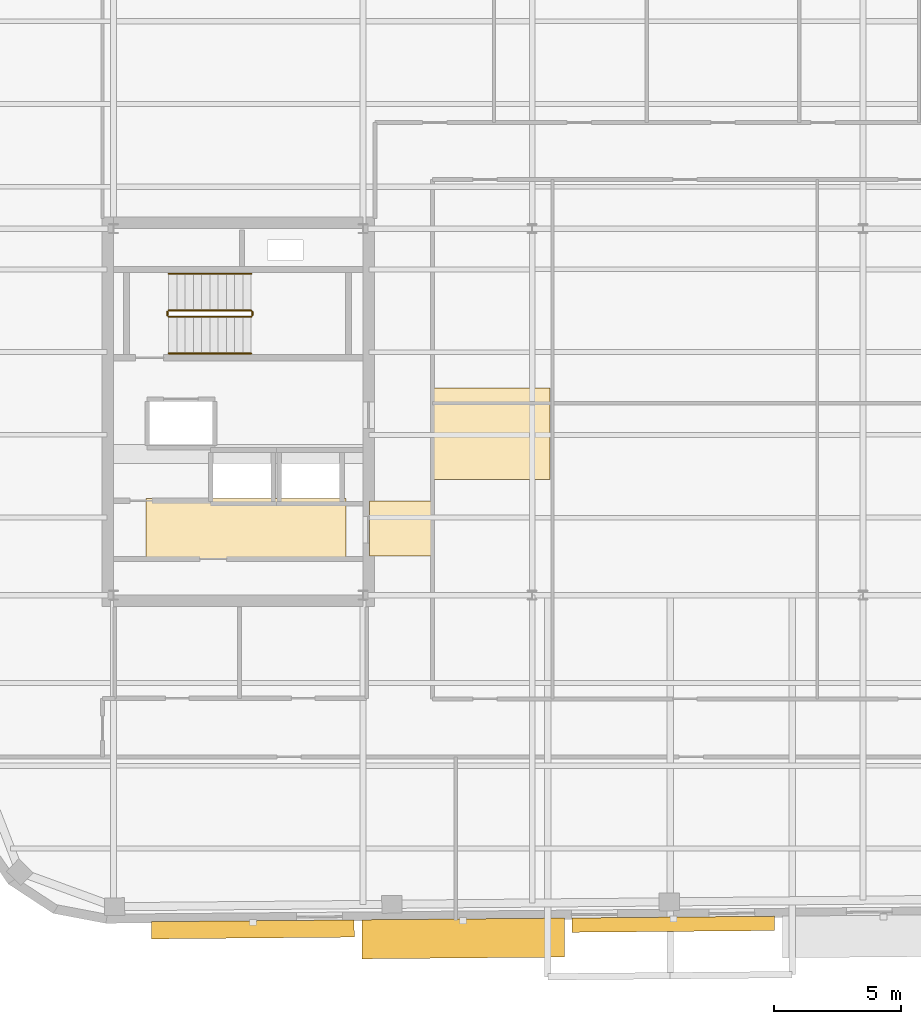
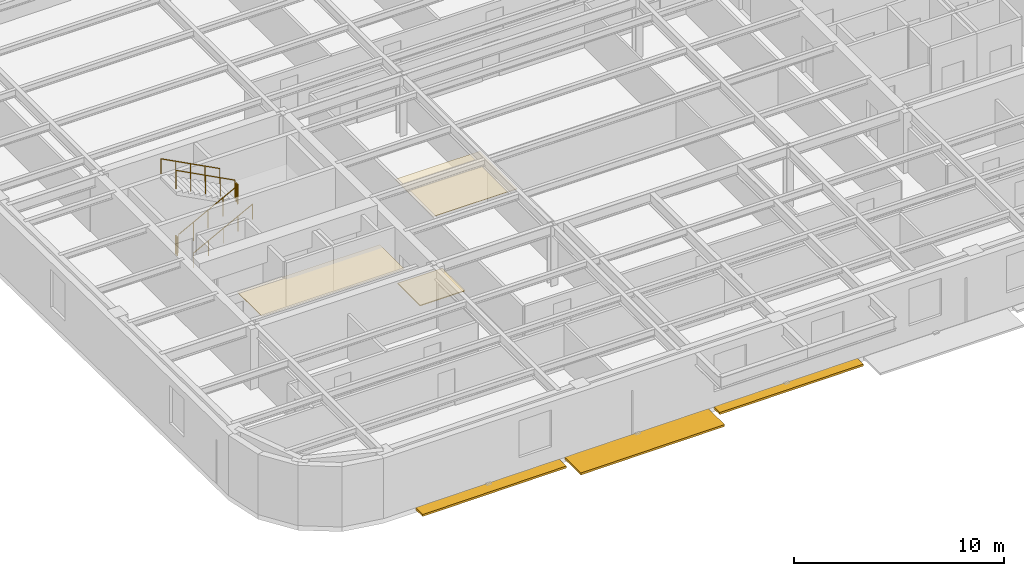
# One storey, part 11 of 14: 6 railings, 3 coverings, 3 shading devices.
"""IFC4 building model written with IfcOpenShell, lengths in metres."""

from ifc_helpers import new_model, si_unit, direction, frame, origin, origin_2d, place, context, subcontext, project, spatial, polyline, rectangle, circle, outline, extrude, material, layer, layer_set, type_object, element, save


model = new_model("IFC4")

# Units and contexts
model_context = context("Model", 3, precision=1e-05, world=origin(), true_north=direction((0.0, 1.0)))
body_context = subcontext(model_context, "Body", "Model", "MODEL_VIEW")
ifc_project = project(units=[si_unit("LENGTHUNIT", "METRE"), si_unit("AREAUNIT", "SQUARE_METRE"), si_unit("VOLUMEUNIT", "CUBIC_METRE"), si_unit("PLANEANGLEUNIT", "RADIAN"), si_unit("MASSUNIT", "GRAM", prefix="KILO")], contexts=[model_context])

# Site, building, storey
site_placement = place(None, origin())
site = spatial("IfcSite", under=ifc_project, at=site_placement, CompositionType="ELEMENT")
building_placement = place(site_placement, origin())
building = spatial("IfcBuilding", under=site, at=building_placement, Name="Kolvaren Arena Tower", CompositionType="ELEMENT")
storey_placement = place(building_placement, frame((0.0, 0.0, 308.64990234375)))
storey = spatial("IfcBuildingStorey", under=building, at=storey_placement, Name="L76", CompositionType="ELEMENT", Elevation=308.64990234375)

# Coverings
ifc_material_1 = material(Name="Mineral fibre acoustic ceiling tile", Category="gypsum")
ifc_layer_1 = layer(ifc_material_1, 0.02490234375)
ifc_layer_set_1 = layer_set([ifc_layer_1], Name="Mineral fibre acoustic ceiling tile")
covering_type_1 = type_object("IfcCoveringType", Name="CEIL-ACT-1", PredefinedType="CEILING", material=ifc_layer_set_1)
covering_1_placement = place(storey_placement, frame((0.0, 0.0, 2.52001953125)))
element("IfcCovering", 1, at=covering_1_placement, inside=storey, type_object=covering_type_1, Name="Suspended Ceiling (L76)", PredefinedType="CEILING", context=body_context, shape_type="SweptSolid", body=[
    extrude(outline(polyline([(27.050048828125, 24.0), (27.050048828125, 27.60009765625), (31.699951171875, 27.60009765625), (31.699951171875, 24.0), (27.050048828125, 24.0)])), origin(), (0.0, 0.0, 1.0), 0.025146484375),
])
ifc_material_2 = material(Name="Moisture-resistant gypsum ceiling", Category="gypsum")
ifc_layer_2 = layer(ifc_material_2, 0.030029296875)
ifc_layer_set_2 = layer_set([ifc_layer_2], Name="Moisture-resistant gypsum ceiling")
covering_type_2 = type_object("IfcCoveringType", Name="CEIL-GYP-1", PredefinedType="CEILING", material=ifc_layer_set_2)
covering_2_placement = place(storey_placement, frame((0.0, 0.0, 2.52001953125)))
element("IfcCovering", 2, at=covering_2_placement, inside=storey, type_object=covering_type_2, Name="Suspended Ceiling (L76)", PredefinedType="CEILING", context=body_context, shape_type="SweptSolid", body=[
    extrude(outline(polyline([(15.820068359375, 20.89990234375), (15.820068359375, 23.239990234375), (23.679931640625, 23.239990234375), (23.679931640625, 20.89990234375), (15.820068359375, 20.89990234375)])), origin(), (0.0, 0.0, 1.0), 0.030029296875),
])
ifc_material_3 = material(Name="Raised access office floor finish", Category="aluminium")
ifc_layer_3 = layer(ifc_material_3, 0.044921875)
ifc_layer_set_3 = layer_set([ifc_layer_3], Name="Raised access office floor finish")
covering_type_3 = type_object("IfcCoveringType", Name="FLOR-RAF-1", PredefinedType="FLOORING", material=ifc_layer_set_3)
covering_3_placement = place(storey_placement, origin())
element("IfcCovering", 3, at=covering_3_placement, inside=storey, type_object=covering_type_3, Name="Floor Finish (L76)", PredefinedType="FLOORING", context=body_context, shape_type="SweptSolid", body=[
    extrude(outline(polyline([(24.60009765625, 21.0), (24.60009765625, 23.14990234375), (27.080078125, 23.14990234375), (27.080078125, 21.0), (24.60009765625, 21.0)])), origin(), (0.0, 0.0, 1.0), 0.045166015625),
])

# Railings
ifc_material_4 = material(Name="Painted galvanized steel", Category="steel")
railing_type_1 = type_object("IfcRailingType", Name="GUARD-ST-110", PredefinedType="GUARDRAIL", material=ifc_material_4)
railing_1_placement = place(storey_placement, frame((16.719970703125, 30.389892578125, 0.170654296875)))
element("IfcRailing", 4, at=railing_1_placement, inside=storey, type_object=railing_type_1, Name="L76 ST-W1 stair guard 1", PredefinedType="GUARDRAIL", context=body_context, shape_type="SweptSolid", body=[
    extrude(circle(Radius=0.02392578125, at=origin_2d()), frame((0.0, 0.0, 1.076171875), z_axis=(0.885020909582, 0.0, 0.465551274945), x_axis=(0.0, 1.0, 0.0)), (0.0, 0.0, 1.0), 3.660888671875),
    extrude(circle(Radius=0.02099609375, at=origin_2d()), origin(), (0.0, 0.0, 1.0), 1.052001953125),
    extrude(circle(Radius=0.02099609375, at=origin_2d()), frame((0.81005859375, 0.0, 0.426025390625)), (0.0, 0.0, 1.0), 1.052001953125),
    extrude(circle(Radius=0.02099609375, at=origin_2d()), frame((1.6201171875, 0.0, 0.85205078125)), (0.0, 0.0, 1.0), 1.052001953125),
    extrude(circle(Radius=0.02099609375, at=origin_2d()), frame((2.429931640625, 0.0, 1.2783203125)), (0.0, 0.0, 1.0), 1.052001953125),
    extrude(circle(Radius=0.02099609375, at=origin_2d()), frame((3.239990234375, 0.0, 1.704345703125)), (0.0, 0.0, 1.0), 1.052001953125),
])
railing_2_placement = place(storey_placement, frame((20.010009765625, 30.43994140625, 1.875)))
element("IfcRailing", 5, at=railing_2_placement, inside=storey, type_object=railing_type_1, Name="L76 ST-W1 stair guard 2", PredefinedType="GUARDRAIL", context=body_context, shape_type="SweptSolid", body=[
    extrude(circle(Radius=0.02392578125, at=origin_2d()), frame((0.0, 0.0, 1.076171875), z_axis=(0.0, 1.0, 0.0), x_axis=(-1.0, 0.0, 0.0)), (0.0, 0.0, 1.0), 0.150146484375),
    extrude(circle(Radius=0.02099609375, at=origin_2d()), origin(), (0.0, 0.0, 1.0), 1.052001953125),
    extrude(circle(Radius=0.02099609375, at=origin_2d()), frame((0.0, 0.150146484375, 0.0)), (0.0, 0.0, 1.0), 1.052001953125),
])
railing_3_placement = place(storey_placement, frame((19.9599609375, 30.639892578125, 2.045654296875)))
element("IfcRailing", 6, at=railing_3_placement, inside=storey, type_object=railing_type_1, Name="L76 ST-W1 stair guard 3", PredefinedType="GUARDRAIL", context=body_context, shape_type="SweptSolid", body=[
    extrude(circle(Radius=0.02392578125, at=origin_2d()), frame((0.0, 0.0, 1.076171875), z_axis=(-0.885020909582, 0.0, 0.465551274945), x_axis=(0.0, -1.0, 0.0)), (0.0, 0.0, 1.0), 3.660888671875),
    extrude(circle(Radius=0.02099609375, at=origin_2d()), origin(), (0.0, 0.0, 1.0), 1.052001953125),
    extrude(circle(Radius=0.02099609375, at=origin_2d()), frame((-0.81005859375, 0.0, 0.426025390625)), (0.0, 0.0, 1.0), 1.052001953125),
    extrude(circle(Radius=0.02099609375, at=origin_2d()), frame((-1.6201171875, 0.0, 0.85205078125)), (0.0, 0.0, 1.0), 1.052001953125),
    extrude(circle(Radius=0.02099609375, at=origin_2d()), frame((-2.429931640625, 0.0, 1.2783203125)), (0.0, 0.0, 1.0), 1.052001953125),
    extrude(circle(Radius=0.02099609375, at=origin_2d()), frame((-3.239990234375, 0.0, 1.704345703125)), (0.0, 0.0, 1.0), 1.052001953125),
])
railing_4_placement = place(storey_placement, frame((16.669921875, 30.43994140625, 0.0)))
element("IfcRailing", 7, at=railing_4_placement, inside=storey, type_object=railing_type_1, Name="L76 ST-W1 stair guard 4", PredefinedType="GUARDRAIL", context=body_context, shape_type="SweptSolid", body=[
    extrude(circle(Radius=0.02392578125, at=origin_2d()), frame((0.0, 0.0, 1.076171875), z_axis=(0.0, 1.0, 0.0), x_axis=(-1.0, 0.0, 0.0)), (0.0, 0.0, 1.0), 0.150146484375),
    extrude(circle(Radius=0.02099609375, at=origin_2d()), origin(), (0.0, 0.0, 1.0), 1.052001953125),
    extrude(circle(Radius=0.02099609375, at=origin_2d()), frame((0.0, 0.150146484375, 0.0)), (0.0, 0.0, 1.0), 1.052001953125),
])
ifc_material_5 = material(Name="Brushed stainless steel handrail", Category="steel")
railing_type_2 = type_object("IfcRailingType", Name="HRAIL-900", PredefinedType="HANDRAIL", material=ifc_material_5)
railing_5_placement = place(storey_placement, frame((16.719970703125, 28.949951171875, 0.170654296875)))
element("IfcRailing", 8, at=railing_5_placement, inside=storey, type_object=railing_type_2, Name="L76 ST-W1 stair handrail 1", PredefinedType="HANDRAIL", context=body_context, shape_type="SweptSolid", body=[
    extrude(circle(Radius=0.02392578125, at=origin_2d()), frame((0.0, 0.0, 0.8759765625), z_axis=(0.885020909582, 0.0, 0.465551274945), x_axis=(0.0, 1.0, 0.0)), (0.0, 0.0, 1.0), 3.660888671875),
    extrude(circle(Radius=0.02099609375, at=origin_2d()), origin(), (0.0, 0.0, 1.0), 0.851806640625),
    extrude(circle(Radius=0.02099609375, at=origin_2d()), frame((0.81005859375, 0.0, 0.426025390625)), (0.0, 0.0, 1.0), 0.851806640625),
    extrude(circle(Radius=0.02099609375, at=origin_2d()), frame((1.6201171875, 0.0, 0.85205078125)), (0.0, 0.0, 1.0), 0.851806640625),
    extrude(circle(Radius=0.02099609375, at=origin_2d()), frame((2.429931640625, 0.0, 1.2783203125)), (0.0, 0.0, 1.0), 0.851806640625),
    extrude(circle(Radius=0.02099609375, at=origin_2d()), frame((3.239990234375, 0.0, 1.704345703125)), (0.0, 0.0, 1.0), 0.851806640625),
])
railing_6_placement = place(storey_placement, frame((19.9599609375, 32.080078125, 2.045654296875)))
element("IfcRailing", 9, at=railing_6_placement, inside=storey, type_object=railing_type_2, Name="L76 ST-W1 stair handrail 2", PredefinedType="HANDRAIL", context=body_context, shape_type="SweptSolid", body=[
    extrude(circle(Radius=0.02392578125, at=origin_2d()), frame((0.0, 0.0, 0.8759765625), z_axis=(-0.885020909582, 0.0, 0.465551274945), x_axis=(0.0, -1.0, 0.0)), (0.0, 0.0, 1.0), 3.660888671875),
    extrude(circle(Radius=0.02099609375, at=origin_2d()), origin(), (0.0, 0.0, 1.0), 0.851806640625),
    extrude(circle(Radius=0.02099609375, at=origin_2d()), frame((-0.81005859375, 0.0, 0.426025390625)), (0.0, 0.0, 1.0), 0.851806640625),
    extrude(circle(Radius=0.02099609375, at=origin_2d()), frame((-1.6201171875, 0.0, 0.85205078125)), (0.0, 0.0, 1.0), 0.851806640625),
    extrude(circle(Radius=0.02099609375, at=origin_2d()), frame((-2.429931640625, 0.0, 1.2783203125)), (0.0, 0.0, 1.0), 0.851806640625),
    extrude(circle(Radius=0.02099609375, at=origin_2d()), frame((-3.239990234375, 0.0, 1.704345703125)), (0.0, 0.0, 1.0), 0.851806640625),
])

# Shading devices
ifc_material_6 = material(Name="Architectural precast GFRC and anodised aluminium sunshade", Category="concrete")
shading_device_type_1 = type_object("IfcShadingDeviceType", Name="SHAD-SINE-A", PredefinedType="USERDEFINED", material=ifc_material_6)
shading_device_1_placement = place(storey_placement, frame((36.548828125, 6.52099609375, -0.139892578125), z_axis=(0.0, 0.0, 1.0), x_axis=(-0.999961923064, -0.008726535498, 0.0)))
element("IfcShadingDevice", 10, at=shading_device_1_placement, inside=storey, type_object=shading_device_type_1, Name="Sinusoidal Slab-Edge Sunshade Louvre (L76)", ObjectType="LOUVRE", PredefinedType="USERDEFINED", context=body_context, shape_type="SweptSolid", body=[
    extrude(rectangle(XDim=7.9599609375, YDim=0.562255859375, at=origin_2d()), origin(), (0.0, 0.0, 1.0), 0.1201171875),
])
shading_device_2_placement = place(storey_placement, frame((20.02978515625, 6.319580078125, -0.139892578125), z_axis=(0.0, 0.0, 1.0), x_axis=(-0.999961923064, -0.008726535498, 0.0)))
element("IfcShadingDevice", 11, at=shading_device_2_placement, inside=storey, type_object=shading_device_type_1, Name="Sinusoidal Slab-Edge Sunshade Louvre (L76)", ObjectType="LOUVRE", PredefinedType="USERDEFINED", context=body_context, shape_type="SweptSolid", body=[
    extrude(rectangle(XDim=7.9599609375, YDim=0.677001953125, at=origin_2d()), origin(), (0.0, 0.0, 1.0), 0.1201171875),
])
shading_device_type_2 = type_object("IfcShadingDeviceType", Name="SHAD-SINE-B", PredefinedType="JALOUSIE", material=ifc_material_6)
shading_device_3_placement = place(storey_placement, frame((28.293212890625, 5.9638671875, -0.139892578125), z_axis=(0.0, 0.0, 1.0), x_axis=(-0.999961923064, -0.008726535498, 0.0)))
element("IfcShadingDevice", 12, at=shading_device_3_placement, inside=storey, type_object=shading_device_type_2, Name="Sinusoidal Slab-Edge Sunshade Louvre (L76)", PredefinedType="JALOUSIE", context=body_context, shape_type="SweptSolid", body=[
    extrude(rectangle(XDim=7.9599609375, YDim=1.53271484375, at=origin_2d()), origin(), (0.0, 0.0, 1.0), 0.1201171875),
])

save(model, "model.ifc")
